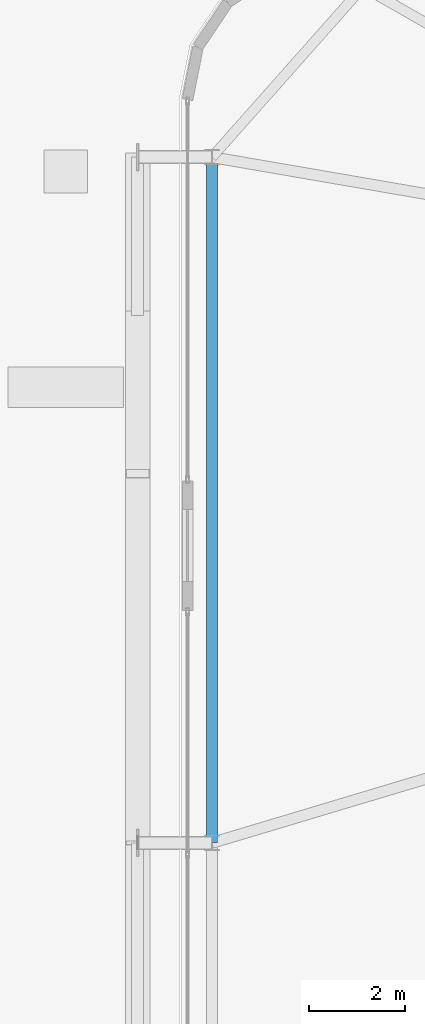
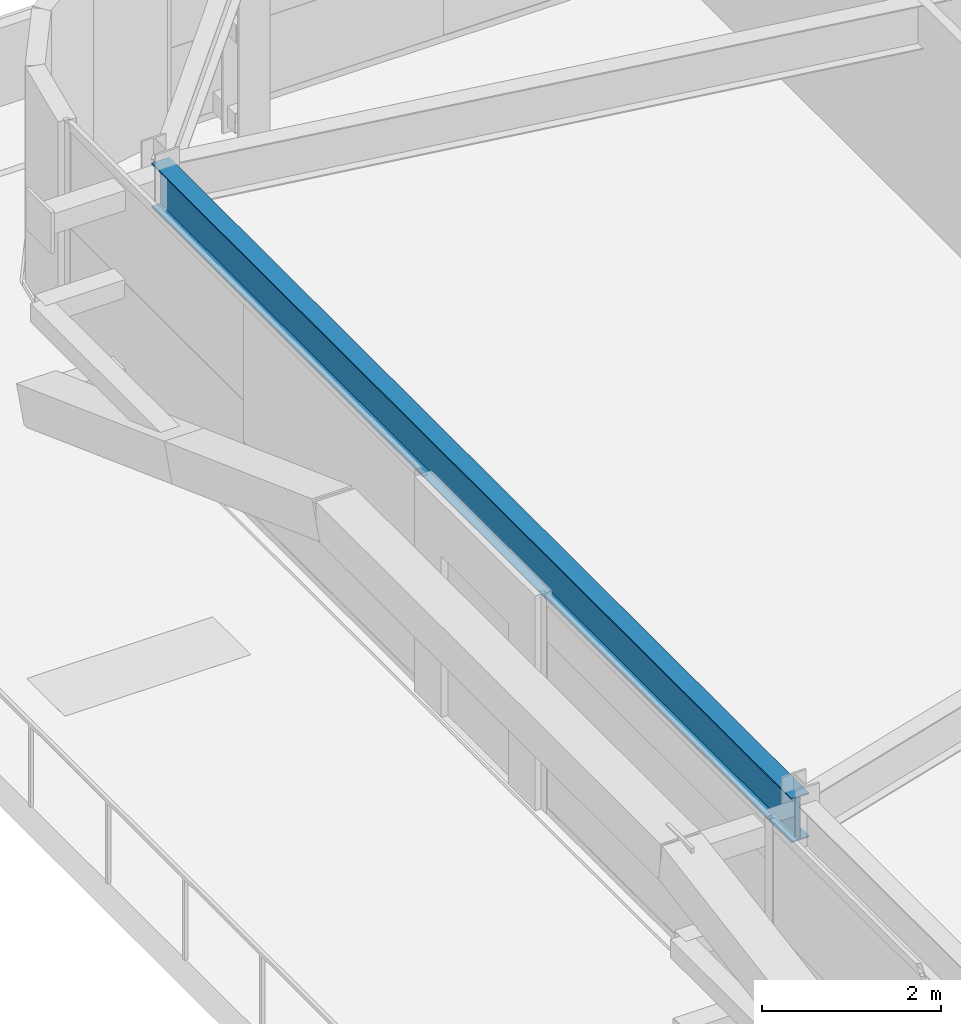
# One storey, part 16 of 56: 1 beam.
"""IFC4 building model written with IfcOpenShell, lengths in metres."""

from ifc_helpers import new_model, si_unit, direction, frame, origin, origin_2d, place, context, subcontext, project, spatial, i_section, extrude, source, transform, mapped, material, material_profile, profile_set, type_object, element, save


model = new_model("IFC4")

# Units and contexts
model_context = context("Model", 3, precision=1e-05, world=origin(), true_north=direction((0.0, 1.0)))
body_context = subcontext(model_context, "Body", "Model", "MODEL_VIEW")
ifc_project = project(units=[si_unit("LENGTHUNIT", "METRE"), si_unit("AREAUNIT", "SQUARE_METRE"), si_unit("VOLUMEUNIT", "CUBIC_METRE"), si_unit("PLANEANGLEUNIT", "RADIAN"), si_unit("MASSUNIT", "GRAM", prefix="KILO")], contexts=[model_context])

# Site, building, storey
site_placement = place(None, origin())
site = spatial("IfcSite", under=ifc_project, at=site_placement, CompositionType="ELEMENT")
building_placement = place(site_placement, origin())
building = spatial("IfcBuilding", under=site, at=building_placement, Name="Taldren Reach Tower", CompositionType="ELEMENT")
storey_placement = place(building_placement, frame((0.0, 0.0, 16.800048828125)))
storey = spatial("IfcBuildingStorey", under=building, at=storey_placement, Name="L04", CompositionType="ELEMENT", Elevation=16.800048828125)

# Beam
ifc_material = material(Name="Steel Gr 350 (350PLUS)", Category="steel")
ifc_material_profile = material_profile(ifc_material, i_section(OverallWidth=0.22802734375, OverallDepth=0.60205078125, WebThickness=0.010498046875, FlangeThickness=0.014892578125, at=origin_2d()), Name="610UB101")
ifc_profile_set = profile_set([ifc_material_profile], Name="Steel Gr 350 (350PLUS)")
beam_type = type_object("IfcBeamType", Name="BM-UB610B", PredefinedType="BEAM", material=ifc_profile_set)
shared_shape = source(origin(), body_context, "Body", "SweptSolid", [
    extrude(i_section(OverallWidth=0.22802734375, OverallDepth=0.60205078125, WebThickness=0.010498046875, FlangeThickness=0.014892578125, at=origin_2d()), origin(), (0.0, 0.0, 1.0), 14.300048828125),
])
beam_placement = place(storey_placement, frame((5.64990234375, 34.300048828125, 2.62890625), z_axis=(0.0, -1.0, 0.0), x_axis=(1.0, 0.0, 0.0)))
element("IfcBeam", 1, at=beam_placement, inside=storey, type_object=beam_type, Name="Perimeter gable girder B1 W3-W2 L04", PredefinedType="BEAM", context=body_context, shape_type="MappedRepresentation", body=[
    mapped(shared_shape, transform((0.0, 0.0, 0.0), scale=1.0)),
])

save(model, "model.ifc")
